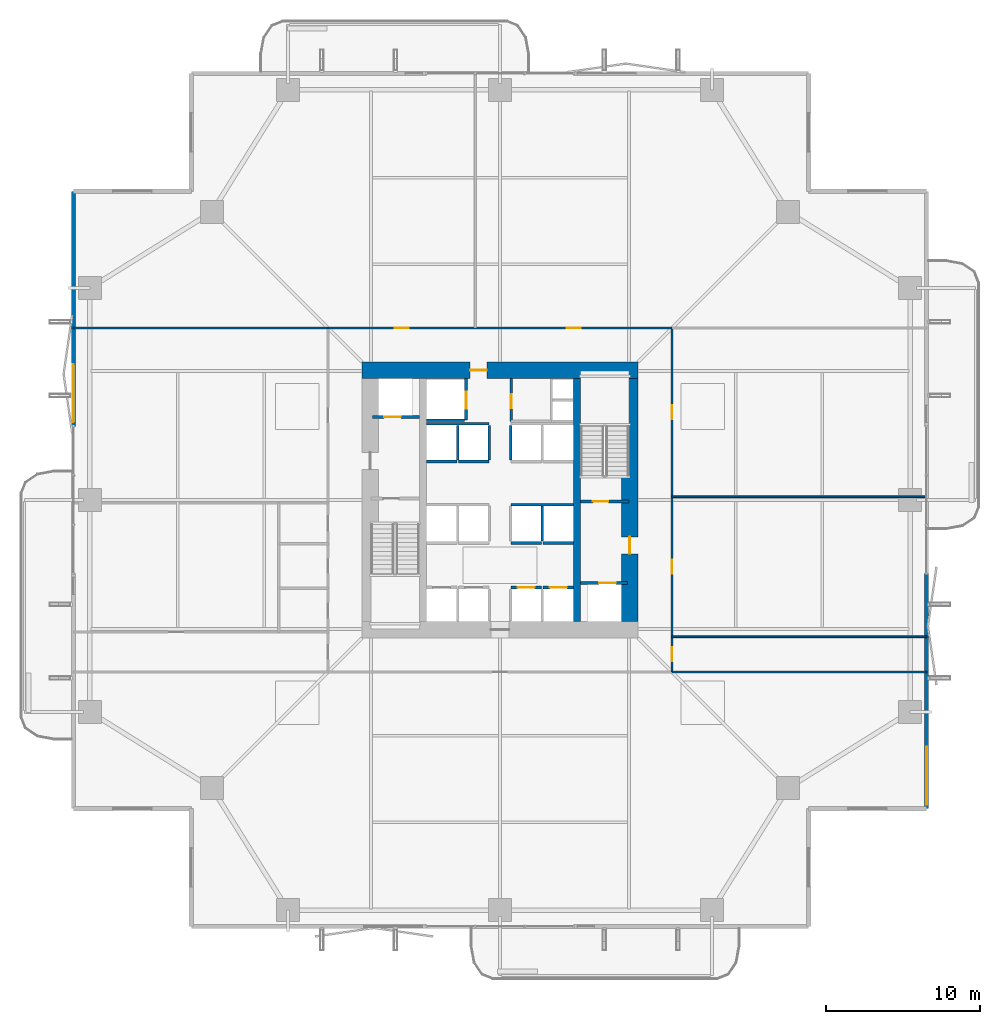
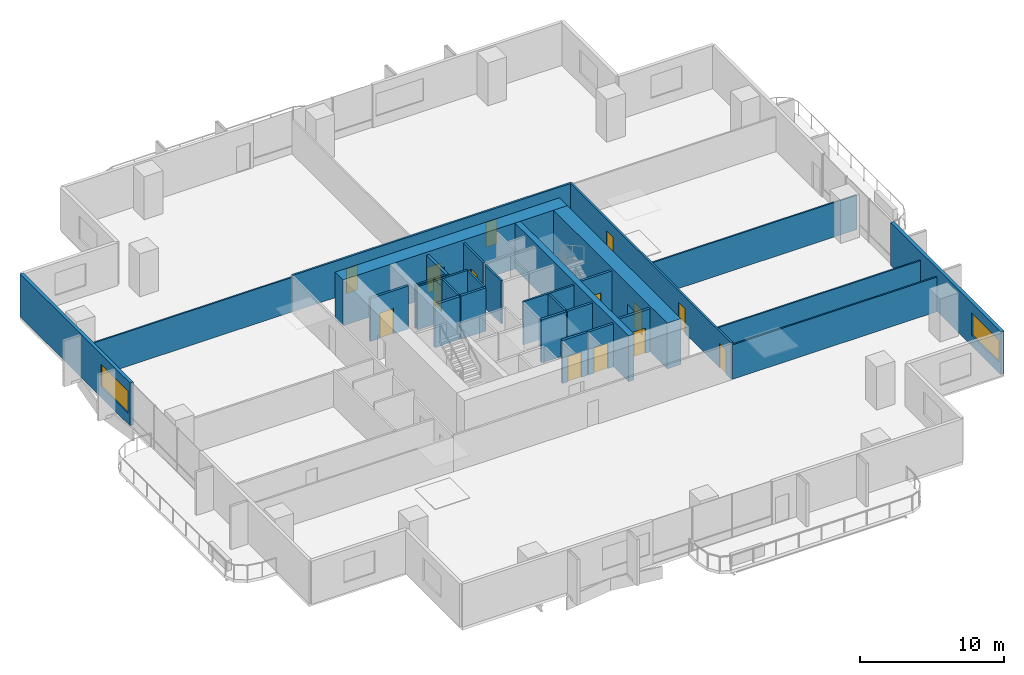
# One storey, part 18 of 23: 29 walls, 14 doors, 2 windows, 16 openings.
"""IFC4 building model written with IfcOpenShell, lengths in metres."""

from ifc_helpers import new_model, si_unit, direction, frame, frame_2d, origin, place, context, subcontext, project, spatial, rectangle, extrude, material, layer, layer_set, type_object, element, fill, save


model = new_model("IFC4")

# Units and contexts
model_context = context("Model", 3, precision=1e-05, world=origin(), true_north=direction((0.0, 1.0)))
body_context = subcontext(model_context, "Body", "Model", "MODEL_VIEW")
ifc_project = project(units=[si_unit("LENGTHUNIT", "METRE"), si_unit("AREAUNIT", "SQUARE_METRE"), si_unit("VOLUMEUNIT", "CUBIC_METRE"), si_unit("PLANEANGLEUNIT", "RADIAN"), si_unit("MASSUNIT", "GRAM", prefix="KILO")], contexts=[model_context])

# Site, building, storey
site_placement = place(None, origin())
site = spatial("IfcSite", under=ifc_project, at=site_placement, CompositionType="ELEMENT")
building_placement = place(site_placement, origin())
building = spatial("IfcBuilding", under=site, at=building_placement, Name="Belovzor Exchange Tower", CompositionType="ELEMENT")
storey_placement = place(building_placement, frame((0.0, 0.0, 84.60009765625)))
storey = spatial("IfcBuildingStorey", under=building, at=storey_placement, Name="L20", CompositionType="ELEMENT", Elevation=84.60009765625)

# Walls
ifc_material_1 = material(Name="Acoustic Plasterboard on Galvanised Studs", Category="gypsum")
ifc_layer_1 = layer(ifc_material_1, 0.1201171875)
ifc_layer_set_1 = layer_set([ifc_layer_1], Name="Acoustic Plasterboard on Galvanised Studs")
wall_type_1 = type_object("IfcWallType", Name="Acoustic Double-Stud Partition Wall 120", PredefinedType="PARTITIONING", material=ifc_layer_set_1)
for number, where, z_axis, x_axis, name in (
    (1, (40.0, 17.60009765625, 0.0), (0.0, 0.0, 1.0), (1.0, 0.0, 0.0), "W-P120 Partition Wall W-L20-END-SE"),
    (2, (1.030029296875, 40.0, 0.0), (0.0, 0.0, 1.0), (1.0, 0.0, 0.0), "W-P120 Partition Wall W-L20-END-NW"),
    (3, (40.0, 19.89990234375, 0.0), (0.0, 0.0, 1.0), (1.0, 0.0, 0.0), "W-P120 Partition Wall W-L20-EDIV-1"),
    (4, (40.0, 29.008056640625, 0.0), (0.0, 0.0, 1.0), (1.0, 0.0, 0.0), "W-P120 Partition Wall W-L20-EDIV-2"),
):
    element("IfcWall", number, at=place(storey_placement, frame(where, z_axis=z_axis, x_axis=x_axis)), inside=storey, type_object=wall_type_1, Name=name, PredefinedType="PARTITIONING", context=body_context, shape_type="SweptSolid", body=[
        extrude(rectangle(XDim=16.570068359375, YDim=0.1201171875, at=frame_2d((8.28515625, 0.0))), origin(), (0.0, 0.0, 1.0), 2.934814453125),
    ])

# Wall, opening, door
ifc_material_2 = material(Name="Fire-Rated Gypsum Block and Mineral Wool", Category="gypsum")
ifc_layer_2 = layer(ifc_material_2, 0.14990234375)
ifc_layer_set_2 = layer_set([ifc_layer_2], Name="Fire-Rated Gypsum Block and Mineral Wool")
wall_type_2 = type_object("IfcWallType", Name="Fire-Rated Gypsum Block Corridor Wall 150", PredefinedType="PARTITIONING", material=ifc_layer_set_2)
wall_1_placement = place(storey_placement, frame((29.52490234375, 33.925048828125, 0.0), z_axis=(0.0, 0.0, 1.0), x_axis=(0.0, 1.0, 0.0)))
wall_1 = element("IfcWall", 5, at=wall_1_placement, inside=storey, type_object=wall_type_2, Name="W-P150 Partition Wall W-CRV-L20-W", PredefinedType="PARTITIONING", context=body_context, shape_type="SweptSolid", body=[
    extrude(rectangle(XDim=2.77490234375, YDim=0.14990234375, at=frame_2d((1.387451171875, 0.0))), origin(), (0.0, 0.0, 1.0), 3.64990234375),
])
opening_1_placement = place(wall_1_placement, frame((0.85009765625, 0.0, 0.0)))
opening_1 = element("IfcOpeningElement", 6, at=opening_1_placement, cuts=wall_1, Name="Opening D-FD60-090", PredefinedType="OPENING", context=body_context, shape_type="SweptSolid", body=[
    extrude(rectangle(XDim=0.89990234375, YDim=2.10009765625, at=frame_2d((0.449951171875, 1.050048828125))), frame((0.0, 0.0849609375, 0.0), z_axis=(0.0, -1.0, 0.0), x_axis=(1.0, 0.0, 0.0)), (0.0, 0.0, 1.0), 0.169921875),
])
ifc_material_3 = material(Name="Acoustic Timber Fire Leaf", Category="wood")
door_type_1 = type_object("IfcDoorType", Name="Core Service & Restroom Fire Door 900x2100", OperationType="NOTDEFINED", PredefinedType="DOOR", material=ifc_material_3)
door_1_placement = place(opening_1_placement, origin())
door_1 = element("IfcDoor", 7, at=door_1_placement, inside=storey, type_object=door_type_1, Name="D-FD60-090 Core Service & Restroom Fire Door 900x2100", OperationType="SINGLE_SWING_LEFT", OverallHeight=2.10009765625, OverallWidth=0.89990234375, PredefinedType="DOOR", context=body_context, shape_type="SweptSolid", body=[
    extrude(rectangle(XDim=0.89990234375, YDim=2.10009765625, at=frame_2d((0.449951171875, 1.050048828125))), frame((0.0, 0.02490234375, 0.0), z_axis=(0.0, -1.0, 0.0), x_axis=(1.0, 0.0, 0.0)), (0.0, 0.0, 1.0), 0.050048828125),
])
fill(opening_1, door_1)

# Wall, openings, doors
wall_2_placement = place(storey_placement, frame((17.60009765625, 40.0, 0.0), z_axis=(0.0, 0.0, 1.0), x_axis=(1.0, 0.0, 0.0)))
wall_2 = element("IfcWall", 8, at=wall_2_placement, inside=storey, type_object=wall_type_2, Name="W-P150 Partition Wall W-L20-CN", PredefinedType="PARTITIONING", context=body_context, shape_type="SweptSolid", body=[
    extrude(rectangle(XDim=22.39990234375, YDim=0.14990234375, at=frame_2d((11.199951171875, 0.0))), origin(), (0.0, 0.0, 1.0), 3.0849609375),
])
opening_2_placement = place(wall_2_placement, frame((4.34912109375, 0.0, 0.0)))
opening_2 = element("IfcOpeningElement", 9, at=opening_2_placement, cuts=wall_2, Name="Opening D-INT-090", PredefinedType="OPENING", context=body_context, shape_type="SweptSolid", body=[
    extrude(rectangle(XDim=0.89990234375, YDim=2.10009765625, at=frame_2d((0.449951171875, 1.050048828125))), frame((0.0, 0.0849609375, 0.0), z_axis=(0.0, -1.0, 0.0), x_axis=(1.0, 0.0, 0.0)), (0.0, 0.0, 1.0), 0.169921875),
])
opening_3_placement = place(wall_2_placement, frame((15.549072265625, 0.0, 0.0)))
opening_3 = element("IfcOpeningElement", 10, at=opening_3_placement, cuts=wall_2, Name="Opening D-INT-090", PredefinedType="OPENING", context=body_context, shape_type="SweptSolid", body=[
    extrude(rectangle(XDim=0.89990234375, YDim=2.10009765625, at=frame_2d((0.449951171875, 1.050048828125))), frame((0.0, 0.0849609375, 0.0), z_axis=(0.0, -1.0, 0.0), x_axis=(1.0, 0.0, 0.0)), (0.0, 0.0, 1.0), 0.169921875),
])
ifc_material_4 = material(Name="Veneered Hardwood Acoustic Leaf", Category="wood")
door_type_2 = type_object("IfcDoorType", Name="Trading Suite Acoustic Single Door 900x2100", OperationType="NOTDEFINED", PredefinedType="DOOR", material=ifc_material_4)
door_2_placement = place(opening_2_placement, origin())
door_2 = element("IfcDoor", 11, at=door_2_placement, inside=storey, type_object=door_type_2, Name="D-INT-090 Trading Suite Acoustic Single Door 900x2100", OperationType="SINGLE_SWING_RIGHT", OverallHeight=2.10009765625, OverallWidth=0.89990234375, PredefinedType="DOOR", context=body_context, shape_type="SweptSolid", body=[
    extrude(rectangle(XDim=0.89990234375, YDim=2.10009765625, at=frame_2d((0.449951171875, 1.050048828125))), frame((0.0, 0.02490234375, 0.0), z_axis=(0.0, -1.0, 0.0), x_axis=(1.0, 0.0, 0.0)), (0.0, 0.0, 1.0), 0.050048828125),
])
fill(opening_2, door_2)
door_3_placement = place(opening_3_placement, origin())
door_3 = element("IfcDoor", 12, at=door_3_placement, inside=storey, type_object=door_type_2, Name="D-INT-090 Trading Suite Acoustic Single Door 900x2100", OperationType="SINGLE_SWING_LEFT", OverallHeight=2.10009765625, OverallWidth=0.89990234375, PredefinedType="DOOR", context=body_context, shape_type="SweptSolid", body=[
    extrude(rectangle(XDim=0.89990234375, YDim=2.10009765625, at=frame_2d((0.449951171875, 1.050048828125))), frame((0.0, 0.02490234375, 0.0), z_axis=(0.0, -1.0, 0.0), x_axis=(1.0, 0.0, 0.0)), (0.0, 0.0, 1.0), 0.050048828125),
])
fill(opening_3, door_3)

wall_3_placement = place(storey_placement, frame((40.0, 17.60009765625, 0.0), z_axis=(0.0, 0.0, 1.0), x_axis=(0.0, 1.0, 0.0)))
wall_3 = element("IfcWall", 13, at=wall_3_placement, inside=storey, type_object=wall_type_2, Name="W-P150 Partition Wall W-L20-CE", PredefinedType="PARTITIONING", context=body_context, shape_type="SweptSolid", body=[
    extrude(rectangle(XDim=22.39990234375, YDim=0.14990234375, at=frame_2d((11.199951171875, 0.0))), origin(), (0.0, 0.0, 1.0), 3.0849609375),
])
opening_4_placement = place(wall_3_placement, frame((0.699951171875, 0.0, 0.0)))
opening_4 = element("IfcOpeningElement", 14, at=opening_4_placement, cuts=wall_3, Name="Opening D-INT-090", PredefinedType="OPENING", context=body_context, shape_type="SweptSolid", body=[
    extrude(rectangle(XDim=0.89990234375, YDim=2.10009765625, at=frame_2d((0.449951171875, 1.050048828125))), frame((0.0, 0.0849609375, 0.0), z_axis=(0.0, -1.0, 0.0), x_axis=(1.0, 0.0, 0.0)), (0.0, 0.0, 1.0), 0.169921875),
])
opening_5_placement = place(wall_3_placement, frame((6.404052734375, 0.0, 0.0)))
opening_5 = element("IfcOpeningElement", 15, at=opening_5_placement, cuts=wall_3, Name="Opening D-INT-090", PredefinedType="OPENING", context=body_context, shape_type="SweptSolid", body=[
    extrude(rectangle(XDim=0.89990234375, YDim=2.10009765625, at=frame_2d((0.449951171875, 1.050048828125))), frame((0.0, 0.0849609375, 0.0), z_axis=(0.0, -1.0, 0.0), x_axis=(1.0, 0.0, 0.0)), (0.0, 0.0, 1.0), 0.169921875),
])
opening_6_placement = place(wall_3_placement, frame((16.4541015625, 0.0, 0.0)))
opening_6 = element("IfcOpeningElement", 16, at=opening_6_placement, cuts=wall_3, Name="Opening D-INT-090", PredefinedType="OPENING", context=body_context, shape_type="SweptSolid", body=[
    extrude(rectangle(XDim=0.89990234375, YDim=2.10009765625, at=frame_2d((0.449951171875, 1.050048828125))), frame((0.0, 0.0849609375, 0.0), z_axis=(0.0, -1.0, 0.0), x_axis=(1.0, 0.0, 0.0)), (0.0, 0.0, 1.0), 0.169921875),
])
door_4_placement = place(opening_4_placement, origin())
door_4 = element("IfcDoor", 17, at=door_4_placement, inside=storey, type_object=door_type_2, Name="D-INT-090 Trading Suite Acoustic Single Door 900x2100", OperationType="SINGLE_SWING_RIGHT", OverallHeight=2.10009765625, OverallWidth=0.89990234375, PredefinedType="DOOR", context=body_context, shape_type="SweptSolid", body=[
    extrude(rectangle(XDim=0.89990234375, YDim=2.10009765625, at=frame_2d((0.449951171875, 1.050048828125))), frame((0.0, 0.02490234375, 0.0), z_axis=(0.0, -1.0, 0.0), x_axis=(1.0, 0.0, 0.0)), (0.0, 0.0, 1.0), 0.050048828125),
])
fill(opening_4, door_4)
door_5_placement = place(opening_5_placement, origin())
door_5 = element("IfcDoor", 18, at=door_5_placement, inside=storey, type_object=door_type_2, Name="D-INT-090 Trading Suite Acoustic Single Door 900x2100", OperationType="SINGLE_SWING_LEFT", OverallHeight=2.10009765625, OverallWidth=0.89990234375, PredefinedType="DOOR", context=body_context, shape_type="SweptSolid", body=[
    extrude(rectangle(XDim=0.89990234375, YDim=2.10009765625, at=frame_2d((0.449951171875, 1.050048828125))), frame((0.0, 0.02490234375, 0.0), z_axis=(0.0, -1.0, 0.0), x_axis=(1.0, 0.0, 0.0)), (0.0, 0.0, 1.0), 0.050048828125),
])
fill(opening_5, door_5)
door_6_placement = place(opening_6_placement, origin())
door_6 = element("IfcDoor", 19, at=door_6_placement, inside=storey, type_object=door_type_2, Name="D-INT-090 Trading Suite Acoustic Single Door 900x2100", OperationType="SINGLE_SWING_RIGHT", OverallHeight=2.10009765625, OverallWidth=0.89990234375, PredefinedType="DOOR", context=body_context, shape_type="SweptSolid", body=[
    extrude(rectangle(XDim=0.89990234375, YDim=2.10009765625, at=frame_2d((0.449951171875, 1.050048828125))), frame((0.0, 0.02490234375, 0.0), z_axis=(0.0, -1.0, 0.0), x_axis=(1.0, 0.0, 0.0)), (0.0, 0.0, 1.0), 0.050048828125),
])
fill(opening_6, door_6)

# Wall, opening, window
ifc_material_5 = material(Name="Precast concrete C40/50", Category="concrete")
ifc_layer_3 = layer(ifc_material_5, 0.260009765625)
ifc_layer_set_3 = layer_set([ifc_layer_3], Name="Precast concrete C40/50")
wall_type_3 = type_object("IfcWallType", Name="Precast Concrete Perimeter Loggia Frame Wall 260", PredefinedType="SOLIDWALL", material=ifc_layer_set_3)
wall_4_placement = place(storey_placement, frame((1.030029296875, 33.60009765625, 0.0), z_axis=(0.0, 0.0, 1.0), x_axis=(0.0, 1.0, 0.0)))
wall_4 = element("IfcWall", 20, at=wall_4_placement, inside=storey, type_object=wall_type_3, Name="W-EXT260 Precast Concrete Perimeter Loggia Frame Wall 260 L20", PredefinedType="SOLIDWALL", context=body_context, shape_type="SweptSolid", body=[
    extrude(rectangle(XDim=15.2998046875, YDim=0.260009765625, at=frame_2d((7.64990234375, 0.0))), origin(), (0.0, 0.0, 1.0), 3.64990234375),
])
opening_7_placement = place(wall_4_placement, frame((0.25, 0.0, 0.89990234375)))
opening_7 = element("IfcOpeningElement", 21, at=opening_7_placement, cuts=wall_4, Name="Opening WN-RIB380", PredefinedType="OPENING", context=body_context, shape_type="SweptSolid", body=[
    extrude(rectangle(XDim=3.800048828125, YDim=1.89990234375, at=frame_2d((1.89990234375, 0.949951171875))), frame((0.0, 0.139892578125, 0.0), z_axis=(0.0, -1.0, 0.0), x_axis=(1.0, 0.0, 0.0)), (0.0, 0.0, 1.0), 0.280029296875),
])
ifc_material_6 = material(Name="Thermally Broken Aluminium and Triple Glazing", Category="aluminium")
window_type = type_object("IfcWindowType", Name="Streamline Moderne Horizontal Ribbon Window 3800x1900", PartitioningType="SINGLE_PANEL", PredefinedType="WINDOW", material=ifc_material_6)
window_1_placement = place(opening_7_placement, origin())
window_1 = element("IfcWindow", 22, at=window_1_placement, inside=storey, type_object=window_type, Name="WN-RIB380 Streamline Moderne Horizontal Ribbon Window 3800x1900", OverallHeight=1.89990234375, OverallWidth=3.800048828125, PartitioningType="SINGLE_PANEL", PredefinedType="WINDOW", context=body_context, shape_type="SweptSolid", body=[
    extrude(rectangle(XDim=3.800048828125, YDim=1.89990234375, at=frame_2d((1.89990234375, 0.949951171875))), frame((0.0, 0.030029296875, 0.0), z_axis=(0.0, -1.0, 0.0), x_axis=(1.0, 0.0, 0.0)), (0.0, 0.0, 1.0), 0.06005859375),
])
fill(opening_7, window_1)

wall_5_placement = place(storey_placement, frame((56.570068359375, 24.0, 0.0), z_axis=(0.0, 0.0, 1.0), x_axis=(0.0, -1.0, 0.0)))
wall_5 = element("IfcWall", 23, at=wall_5_placement, inside=storey, type_object=wall_type_3, Name="W-EXT260 Precast Concrete Perimeter Loggia Frame Wall 260 L20", PredefinedType="SOLIDWALL", context=body_context, shape_type="SweptSolid", body=[
    extrude(rectangle(XDim=15.300048828125, YDim=0.260009765625, at=frame_2d((7.64990234375, 0.0))), origin(), (0.0, 0.0, 1.0), 3.64990234375),
])
opening_8_placement = place(wall_5_placement, frame((11.25, 0.0, 0.89990234375)))
opening_8 = element("IfcOpeningElement", 24, at=opening_8_placement, cuts=wall_5, Name="Opening WN-RIB380", PredefinedType="OPENING", context=body_context, shape_type="SweptSolid", body=[
    extrude(rectangle(XDim=3.800048828125, YDim=1.89990234375, at=frame_2d((1.89990234375, 0.949951171875))), frame((0.0, 0.139892578125, 0.0), z_axis=(0.0, -1.0, 0.0), x_axis=(1.0, 0.0, 0.0)), (0.0, 0.0, 1.0), 0.280029296875),
])
window_2_placement = place(opening_8_placement, origin())
window_2 = element("IfcWindow", 25, at=window_2_placement, inside=storey, type_object=window_type, Name="WN-RIB380 Streamline Moderne Horizontal Ribbon Window 3800x1900", OverallHeight=1.89990234375, OverallWidth=3.800048828125, PartitioningType="SINGLE_PANEL", PredefinedType="WINDOW", context=body_context, shape_type="SweptSolid", body=[
    extrude(rectangle(XDim=3.800048828125, YDim=1.89990234375, at=frame_2d((1.89990234375, 0.949951171875))), frame((0.0, 0.030029296875, 0.0), z_axis=(0.0, -1.0, 0.0), x_axis=(1.0, 0.0, 0.0)), (0.0, 0.0, 1.0), 0.06005859375),
])
fill(opening_8, window_2)

# Walls
ifc_material_7 = material(Name="Concrete C50/60", Category="concrete")
ifc_layer_4 = layer(ifc_material_7, 0.449951171875)
ifc_layer_set_4 = layer_set([ifc_layer_4], Name="Concrete C50/60")
wall_type_4 = type_object("IfcWallType", Name="Reinforced Concrete Core Internal Web Wall 450", PredefinedType="SHEAR", material=ifc_layer_set_4)
wall_6_placement = place(storey_placement, frame((33.824951171875, 20.89990234375, 0.0), z_axis=(0.0, 0.0, 1.0), x_axis=(0.0, 1.0, 0.0)))
element("IfcWall", 26, at=wall_6_placement, inside=storey, type_object=wall_type_4, Name="CW-W045 Core Internal Web Wall L20 ER", PredefinedType="SHEAR", context=body_context, shape_type="SweptSolid", body=[
    extrude(rectangle(XDim=15.800048828125, YDim=0.449951171875, at=frame_2d((7.89990234375, 0.0))), origin(), (0.0, 0.0, 1.0), 3.89990234375),
])
ifc_material_8 = material(Name="Concrete C50/60", Category="concrete")
ifc_layer_5 = layer(ifc_material_8, 0.14990234375)
ifc_layer_set_5 = layer_set([ifc_layer_5], Name="Concrete C50/60")
wall_type_5 = type_object("IfcWallType", Name="Reinforced Concrete Core Riser Shear Wall 150", PredefinedType="SHEAR", material=ifc_layer_set_5)
wall_7_placement = place(storey_placement, frame((24.0, 34.0, 0.0), z_axis=(0.0, 0.0, 1.0), x_axis=(1.0, 0.0, 0.0)))
element("IfcWall", 27, at=wall_7_placement, inside=storey, type_object=wall_type_5, Name="W-C150S Core Shaft Wall W-SH-L20-SL-01S", PredefinedType="SHEAR", context=body_context, shape_type="SweptSolid", body=[
    extrude(rectangle(XDim=2.47998046875, YDim=0.14990234375, at=frame_2d((1.239990234375, 0.0))), origin(), (0.0, 0.0, 1.0), 3.64990234375),
])
wall_8_placement = place(storey_placement, frame((29.5, 28.5, 0.0), z_axis=(0.0, 0.0, 1.0), x_axis=(1.0, 0.0, 0.0)))
element("IfcWall", 28, at=wall_8_placement, inside=storey, type_object=wall_type_5, Name="W-C150S Core Shaft Wall W-SHB-L20-PLM-NE", PredefinedType="SHEAR", context=body_context, shape_type="SweptSolid", body=[
    extrude(rectangle(XDim=4.080078125, YDim=0.14990234375, at=frame_2d((2.0400390625, 0.0))), origin(), (0.0, 0.0, 1.0), 3.64990234375),
])
wall_9_placement = place(storey_placement, frame((31.550048828125, 26.1201171875, 0.0), z_axis=(0.0, 0.0, 1.0), x_axis=(0.0, 1.0, 0.0)))
element("IfcWall", 29, at=wall_9_placement, inside=storey, type_object=wall_type_5, Name="W-C150S Core Shaft Wall W-SHD-L20-PLM-4", PredefinedType="SHEAR", context=body_context, shape_type="SweptSolid", body=[
    extrude(rectangle(XDim=2.27978515625, YDim=0.14990234375, at=frame_2d((1.139892578125, 0.0))), origin(), (0.0, 0.0, 1.0), 3.64990234375),
])
wall_10_placement = place(storey_placement, frame((24.02001953125, 33.760009765625, 0.0), z_axis=(0.0, 0.0, 1.0), x_axis=(1.0, 0.0, 0.0)))
element("IfcWall", 30, at=wall_10_placement, inside=storey, type_object=wall_type_5, Name="W-C150S Core Shaft Wall W-SHB-L20-PLH-NW", PredefinedType="SHEAR", context=body_context, shape_type="SweptSolid", body=[
    extrude(rectangle(XDim=4.080078125, YDim=0.14990234375, at=frame_2d((2.0400390625, 0.0))), origin(), (0.0, 0.0, 1.0), 3.64990234375),
])
for number, where, z_axis, x_axis, name in (
    (31, (26.050048828125, 31.419921875, 0.0), (0.0, 0.0, 1.0), (0.0, 1.0, 0.0), "W-C150S Core Shaft Wall W-SHD-L20-PLH-1"),
    (32, (28.10009765625, 31.419921875, 0.0), (0.0, 0.0, 1.0), (0.0, 1.0, 0.0), "W-C150S Core Shaft Wall W-SHD-L20-PLH-2"),
    (33, (29.5, 31.419921875, 0.0), (0.0, 0.0, 1.0), (0.0, 1.0, 0.0), "W-C150S Core Shaft Wall W-SHD-L20-PLH-3"),
):
    element("IfcWall", number, at=place(storey_placement, frame(where, z_axis=z_axis, x_axis=x_axis)), inside=storey, type_object=wall_type_5, Name=name, PredefinedType="SHEAR", context=body_context, shape_type="SweptSolid", body=[
        extrude(rectangle(XDim=2.239990234375, YDim=0.14990234375, at=frame_2d((1.1201171875, 0.0))), origin(), (0.0, 0.0, 1.0), 3.64990234375),
    ])

# Wall, opening, door
ifc_material_9 = material(Name="Concrete C50/60", Category="concrete")
ifc_layer_6 = layer(ifc_material_9, 0.199951171875)
ifc_layer_set_6 = layer_set([ifc_layer_6], Name="Concrete C50/60")
wall_type_6 = type_object("IfcWallType", Name="Reinforced Concrete Core Shaft Shear Wall 200", PredefinedType="SHEAR", material=ifc_layer_set_6)
wall_11_placement = place(storey_placement, frame((34.050048828125, 28.699951171875, 0.0), z_axis=(0.0, 0.0, 1.0), x_axis=(1.0, 0.0, 0.0)))
wall_11 = element("IfcWall", 34, at=wall_11_placement, inside=storey, type_object=wall_type_6, Name="W-C200S Core Shaft Wall W-CORE-L20-FFLE2", PredefinedType="SHEAR", context=body_context, shape_type="SweptSolid", body=[
    extrude(rectangle(XDim=3.14990234375, YDim=0.199951171875, at=frame_2d((1.574951171875, 0.0))), origin(), (0.0, 0.0, 1.0), 3.64990234375),
])
opening_9_placement = place(wall_11_placement, frame((0.800048828125, 0.0, 0.0)))
opening_9 = element("IfcOpeningElement", 35, at=opening_9_placement, cuts=wall_11, Name="Opening D-FD90-100", PredefinedType="OPENING", context=body_context, shape_type="SweptSolid", body=[
    extrude(rectangle(XDim=1.0, YDim=2.10009765625, at=frame_2d((0.5, 1.050048828125))), frame((0.0, 0.10986328125, 0.0), z_axis=(0.0, -1.0, 0.0), x_axis=(1.0, 0.0, 0.0)), (0.0, 0.0, 1.0), 0.219970703125),
])
ifc_material_10 = material(Name="Fire-Rated Galvanised Steel Leaf", Category="steel")
door_type_3 = type_object("IfcDoorType", Name="Protected Stairwell Single Fire Door 1000x2100", OperationType="NOTDEFINED", PredefinedType="DOOR", material=ifc_material_10)
door_7_placement = place(opening_9_placement, origin())
door_7 = element("IfcDoor", 36, at=door_7_placement, inside=storey, type_object=door_type_3, Name="D-FD90-100 Protected Stairwell Single Fire Door 1000x2100", OperationType="SINGLE_SWING_LEFT", OverallHeight=2.10009765625, OverallWidth=1.0, PredefinedType="DOOR", context=body_context, shape_type="SweptSolid", body=[
    extrude(rectangle(XDim=1.0, YDim=2.10009765625, at=frame_2d((0.5, 1.050048828125))), frame((0.0, 0.02490234375, 0.0), z_axis=(0.0, -1.0, 0.0), x_axis=(1.0, 0.0, 0.0)), (0.0, 0.0, 1.0), 0.050048828125),
])
fill(opening_9, door_7)

wall_12_placement = place(storey_placement, frame((20.5, 34.199951171875, 0.0), z_axis=(0.0, 0.0, 1.0), x_axis=(1.0, 0.0, 0.0)))
wall_12 = element("IfcWall", 37, at=wall_12_placement, inside=storey, type_object=wall_type_6, Name="W-C200S Core Shaft Wall W-SH-L20-FFL-01", PredefinedType="SHEAR", context=body_context, shape_type="SweptSolid", body=[
    extrude(rectangle(XDim=3.050048828125, YDim=0.199951171875, at=frame_2d((1.52490234375, 0.0))), origin(), (0.0, 0.0, 1.0), 3.64990234375),
])
opening_10_placement = place(wall_12_placement, frame((0.75, 0.0, 0.0)))
opening_10 = element("IfcOpeningElement", 38, at=opening_10_placement, cuts=wall_12, Name="Opening LD-110", PredefinedType="OPENING", context=body_context, shape_type="SweptSolid", body=[
    extrude(rectangle(XDim=1.10009765625, YDim=2.14990234375, at=frame_2d((0.550048828125, 1.074951171875))), frame((0.0, 0.10986328125, 0.0), z_axis=(0.0, -1.0, 0.0), x_axis=(1.0, 0.0, 0.0)), (0.0, 0.0, 1.0), 0.219970703125),
])
ifc_material_11 = material(Name="Stainless Steel Grade 304", Category="steel")
door_type_4 = type_object("IfcDoorType", Name="Automated Stainless Steel Lift Landing Door 1100x2150", OperationType="SLIDING_TO_RIGHT", PredefinedType="DOOR", material=ifc_material_11)
door_8_placement = place(opening_10_placement, origin())
door_8 = element("IfcDoor", 39, at=door_8_placement, inside=storey, type_object=door_type_4, Name="LD-110 Automated Stainless Steel Lift Landing Door 1100x2150", OperationType="SLIDING_TO_RIGHT", OverallHeight=2.14990234375, OverallWidth=1.10009765625, PredefinedType="DOOR", context=body_context, shape_type="SweptSolid", body=[
    extrude(rectangle(XDim=1.10009765625, YDim=2.14990234375, at=frame_2d((0.550048828125, 1.074951171875))), frame((0.0, 0.02490234375, 0.0), z_axis=(0.0, -1.0, 0.0), x_axis=(1.0, 0.0, 0.0)), (0.0, 0.0, 1.0), 0.050048828125),
])
fill(opening_10, door_8)

wall_13_placement = place(storey_placement, frame((34.050048828125, 23.39990234375, 0.0), z_axis=(0.0, 0.0, 1.0), x_axis=(1.0, 0.0, 0.0)))
wall_13 = element("IfcWall", 40, at=wall_13_placement, inside=storey, type_object=wall_type_6, Name="W-C200S Core Shaft Wall W-SH-L20-FFL-02", PredefinedType="SHEAR", context=body_context, shape_type="SweptSolid", body=[
    extrude(rectangle(XDim=3.050048828125, YDim=0.199951171875, at=frame_2d((1.52490234375, 0.0))), origin(), (0.0, 0.0, 1.0), 3.64990234375),
])
opening_11_placement = place(wall_13_placement, frame((1.199951171875, 0.0, 0.0)))
opening_11 = element("IfcOpeningElement", 41, at=opening_11_placement, cuts=wall_13, Name="Opening LD-110", PredefinedType="OPENING", context=body_context, shape_type="SweptSolid", body=[
    extrude(rectangle(XDim=1.10009765625, YDim=2.14990234375, at=frame_2d((0.550048828125, 1.074951171875))), frame((0.0, 0.10986328125, 0.0), z_axis=(0.0, -1.0, 0.0), x_axis=(1.0, 0.0, 0.0)), (0.0, 0.0, 1.0), 0.219970703125),
])
door_9_placement = place(opening_11_placement, origin())
door_9 = element("IfcDoor", 42, at=door_9_placement, inside=storey, type_object=door_type_4, Name="LD-110 Automated Stainless Steel Lift Landing Door 1100x2150", OperationType="SLIDING_TO_RIGHT", OverallHeight=2.14990234375, OverallWidth=1.10009765625, PredefinedType="DOOR", context=body_context, shape_type="SweptSolid", body=[
    extrude(rectangle(XDim=1.10009765625, YDim=2.14990234375, at=frame_2d((0.550048828125, 1.074951171875))), frame((0.0, 0.02490234375, 0.0), z_axis=(0.0, -1.0, 0.0), x_axis=(1.0, 0.0, 0.0)), (0.0, 0.0, 1.0), 0.050048828125),
])
fill(opening_11, door_9)

wall_14_placement = place(storey_placement, frame((26.60009765625, 34.0, 0.0), z_axis=(0.0, 0.0, 1.0), x_axis=(0.0, 1.0, 0.0)))
wall_14 = element("IfcWall", 43, at=wall_14_placement, inside=storey, type_object=wall_type_6, Name="W-C200S Core Shaft Wall W-SH-L20-SL-01", PredefinedType="SHEAR", context=body_context, shape_type="SweptSolid", body=[
    extrude(rectangle(XDim=2.699951171875, YDim=0.199951171875, at=frame_2d((1.35009765625, 0.0))), origin(), (0.0, 0.0, 1.0), 3.64990234375),
])
opening_12_placement = place(wall_14_placement, frame((0.75, 0.0, 0.0)))
opening_12 = element("IfcOpeningElement", 44, at=opening_12_placement, cuts=wall_14, Name="Opening LD-110", PredefinedType="OPENING", context=body_context, shape_type="SweptSolid", body=[
    extrude(rectangle(XDim=1.10009765625, YDim=2.14990234375, at=frame_2d((0.550048828125, 1.074951171875))), frame((0.0, 0.10986328125, 0.0), z_axis=(0.0, -1.0, 0.0), x_axis=(1.0, 0.0, 0.0)), (0.0, 0.0, 1.0), 0.219970703125),
])
door_10_placement = place(opening_12_placement, origin())
door_10 = element("IfcDoor", 45, at=door_10_placement, inside=storey, type_object=door_type_4, Name="LD-110 Automated Stainless Steel Lift Landing Door 1100x2150", OperationType="SLIDING_TO_RIGHT", OverallHeight=2.14990234375, OverallWidth=1.10009765625, PredefinedType="DOOR", context=body_context, shape_type="SweptSolid", body=[
    extrude(rectangle(XDim=1.10009765625, YDim=2.14990234375, at=frame_2d((0.550048828125, 1.074951171875))), frame((0.0, 0.02490234375, 0.0), z_axis=(0.0, -1.0, 0.0), x_axis=(1.0, 0.0, 0.0)), (0.0, 0.0, 1.0), 0.050048828125),
])
fill(opening_12, door_10)

wall_15_placement = place(storey_placement, frame((29.5, 23.10009765625, 0.0), z_axis=(0.0, 0.0, 1.0), x_axis=(1.0, 0.0, 0.0)))
wall_15 = element("IfcWall", 46, at=wall_15_placement, inside=storey, type_object=wall_type_6, Name="W-C200S Core Shaft Wall W-SH-L20-PL-L3", PredefinedType="SHEAR", context=body_context, shape_type="SweptSolid", body=[
    extrude(rectangle(XDim=2.0, YDim=0.199951171875, at=frame_2d((1.0, 0.0))), origin(), (0.0, 0.0, 1.0), 3.64990234375),
])
opening_13_placement = place(wall_15_placement, frame((0.449951171875, 0.0, 0.0)))
opening_13 = element("IfcOpeningElement", 47, at=opening_13_placement, cuts=wall_15, Name="Opening LD-110", PredefinedType="OPENING", context=body_context, shape_type="SweptSolid", body=[
    extrude(rectangle(XDim=1.10009765625, YDim=2.14990234375, at=frame_2d((0.550048828125, 1.074951171875))), frame((0.0, 0.10986328125, 0.0), z_axis=(0.0, -1.0, 0.0), x_axis=(1.0, 0.0, 0.0)), (0.0, 0.0, 1.0), 0.219970703125),
])
door_11_placement = place(opening_13_placement, origin())
door_11 = element("IfcDoor", 48, at=door_11_placement, inside=storey, type_object=door_type_4, Name="LD-110 Automated Stainless Steel Lift Landing Door 1100x2150", OperationType="SLIDING_TO_RIGHT", OverallHeight=2.14990234375, OverallWidth=1.10009765625, PredefinedType="DOOR", context=body_context, shape_type="SweptSolid", body=[
    extrude(rectangle(XDim=1.10009765625, YDim=2.14990234375, at=frame_2d((0.550048828125, 1.074951171875))), frame((0.0, 0.02490234375, 0.0), z_axis=(0.0, -1.0, 0.0), x_axis=(1.0, 0.0, 0.0)), (0.0, 0.0, 1.0), 0.050048828125),
])
fill(opening_13, door_11)

wall_16_placement = place(storey_placement, frame((31.60009765625, 23.10009765625, 0.0), z_axis=(0.0, 0.0, 1.0), x_axis=(1.0, 0.0, 0.0)))
wall_16 = element("IfcWall", 49, at=wall_16_placement, inside=storey, type_object=wall_type_6, Name="W-C200S Core Shaft Wall W-SH-L20-PL-L4", PredefinedType="SHEAR", context=body_context, shape_type="SweptSolid", body=[
    extrude(rectangle(XDim=2.0, YDim=0.199951171875, at=frame_2d((1.0, 0.0))), origin(), (0.0, 0.0, 1.0), 3.64990234375),
])
opening_14_placement = place(wall_16_placement, frame((0.449951171875, 0.0, 0.0)))
opening_14 = element("IfcOpeningElement", 50, at=opening_14_placement, cuts=wall_16, Name="Opening LD-110", PredefinedType="OPENING", context=body_context, shape_type="SweptSolid", body=[
    extrude(rectangle(XDim=1.10009765625, YDim=2.14990234375, at=frame_2d((0.550048828125, 1.074951171875))), frame((0.0, 0.10986328125, 0.0), z_axis=(0.0, -1.0, 0.0), x_axis=(1.0, 0.0, 0.0)), (0.0, 0.0, 1.0), 0.219970703125),
])
door_12_placement = place(opening_14_placement, origin())
door_12 = element("IfcDoor", 51, at=door_12_placement, inside=storey, type_object=door_type_4, Name="LD-110 Automated Stainless Steel Lift Landing Door 1100x2150", OperationType="SLIDING_TO_RIGHT", OverallHeight=2.14990234375, OverallWidth=1.10009765625, PredefinedType="DOOR", context=body_context, shape_type="SweptSolid", body=[
    extrude(rectangle(XDim=1.10009765625, YDim=2.14990234375, at=frame_2d((0.550048828125, 1.074951171875))), frame((0.0, 0.02490234375, 0.0), z_axis=(0.0, -1.0, 0.0), x_axis=(1.0, 0.0, 0.0)), (0.0, 0.0, 1.0), 0.050048828125),
])
fill(opening_14, door_12)

# Walls
for number, where, z_axis, x_axis, name in (
    (52, (29.5, 26.0, 0.0), (0.0, 0.0, 1.0), (1.0, 0.0, 0.0), "W-C200S Core Shaft Wall W-SH-L20-PL-M3"),
    (53, (31.60009765625, 26.0, 0.0), (0.0, 0.0, 1.0), (1.0, 0.0, 0.0), "W-C200S Core Shaft Wall W-SH-L20-PL-M4"),
    (54, (24.0, 31.300048828125, 0.0), (0.0, 0.0, 1.0), (1.0, 0.0, 0.0), "W-C200S Core Shaft Wall W-SH-L20-PL-H1"),
    (55, (26.10009765625, 31.300048828125, 0.0), (0.0, 0.0, 1.0), (1.0, 0.0, 0.0), "W-C200S Core Shaft Wall W-SH-L20-PL-H2"),
):
    element("IfcWall", number, at=place(storey_placement, frame(where, z_axis=z_axis, x_axis=x_axis)), inside=storey, type_object=wall_type_6, Name=name, PredefinedType="SHEAR", context=body_context, shape_type="SweptSolid", body=[
        extrude(rectangle(XDim=2.0, YDim=0.199951171875, at=frame_2d((1.0, 0.0))), origin(), (0.0, 0.0, 1.0), 3.64990234375),
    ])

# Wall, opening, door
ifc_material_12 = material(Name="Concrete C60/75", Category="concrete")
ifc_layer_7 = layer(ifc_material_12, 1.10009765625)
ifc_layer_set_7 = layer_set([ifc_layer_7], Name="Concrete C60/75")
wall_type_7 = type_object("IfcWallType", Name="Reinforced Concrete Core Shear Wall 1100", PredefinedType="SHEAR", material=ifc_layer_set_7)
wall_17_placement = place(storey_placement, frame((19.800048828125, 37.25, 0.0), z_axis=(0.0, 0.0, 1.0), x_axis=(1.0, 0.0, 0.0)))
wall_17 = element("IfcWall", 56, at=wall_17_placement, inside=storey, type_object=wall_type_7, Name="CW-S110 Core Shear Wall L20 N", PredefinedType="SHEAR", context=body_context, shape_type="SweptSolid", body=[
    extrude(rectangle(XDim=18.0, YDim=1.10009765625, at=frame_2d((9.0, 0.0))), origin(), (0.0, 0.0, 1.0), 3.89990234375),
])
opening_15_placement = place(wall_17_placement, frame((7.050048828125, 0.0, 0.0)))
opening_15 = element("IfcOpeningElement", 57, at=opening_15_placement, cuts=wall_17, Name="Opening D-FD90-110", PredefinedType="OPENING", context=body_context, shape_type="SweptSolid", body=[
    extrude(rectangle(XDim=1.10009765625, YDim=2.14990234375, at=frame_2d((0.550048828125, 1.074951171875))), frame((0.0, 0.56005859375, 0.0), z_axis=(0.0, -1.0, 0.0), x_axis=(1.0, 0.0, 0.0)), (0.0, 0.0, 1.0), 1.1201171875),
])
ifc_material_13 = material(Name="Fire-Rated Galvanised Steel Leaf", Category="steel")
door_type_5 = type_object("IfcDoorType", Name="Protected Escape Vestibule Fire Door 1100x2150", OperationType="NOTDEFINED", PredefinedType="DOOR", material=ifc_material_13)
door_13_placement = place(opening_15_placement, origin())
door_13 = element("IfcDoor", 58, at=door_13_placement, inside=storey, type_object=door_type_5, Name="D-FD90-110 Protected Escape Vestibule Fire Door 1100x2150", OperationType="SINGLE_SWING_RIGHT", OverallHeight=2.14990234375, OverallWidth=1.10009765625, PredefinedType="DOOR", context=body_context, shape_type="SweptSolid", body=[
    extrude(rectangle(XDim=1.10009765625, YDim=2.14990234375, at=frame_2d((0.550048828125, 1.074951171875))), frame((0.0, 0.02490234375, 0.0), z_axis=(0.0, -1.0, 0.0), x_axis=(1.0, 0.0, 0.0)), (0.0, 0.0, 1.0), 0.050048828125),
])
fill(opening_15, door_13)

wall_18_placement = place(storey_placement, frame((37.25, 20.89990234375, 0.0), z_axis=(0.0, 0.0, 1.0), x_axis=(0.0, 1.0, 0.0)))
wall_18 = element("IfcWall", 59, at=wall_18_placement, inside=storey, type_object=wall_type_7, Name="CW-S110 Core Shear Wall L20 E", PredefinedType="SHEAR", context=body_context, shape_type="SweptSolid", body=[
    extrude(rectangle(XDim=15.800048828125, YDim=1.10009765625, at=frame_2d((7.89990234375, 0.0))), origin(), (0.0, 0.0, 1.0), 3.89990234375),
])
opening_16_placement = place(wall_18_placement, frame((4.39990234375, 0.0, 0.0)))
opening_16 = element("IfcOpeningElement", 60, at=opening_16_placement, cuts=wall_18, Name="Opening D-FD90-110", PredefinedType="OPENING", context=body_context, shape_type="SweptSolid", body=[
    extrude(rectangle(XDim=1.10009765625, YDim=2.14990234375, at=frame_2d((0.550048828125, 1.074951171875))), frame((0.0, 0.56005859375, 0.0), z_axis=(0.0, -1.0, 0.0), x_axis=(1.0, 0.0, 0.0)), (0.0, 0.0, 1.0), 1.1201171875),
])
door_14_placement = place(opening_16_placement, origin())
door_14 = element("IfcDoor", 61, at=door_14_placement, inside=storey, type_object=door_type_5, Name="D-FD90-110 Protected Escape Vestibule Fire Door 1100x2150", OperationType="SINGLE_SWING_RIGHT", OverallHeight=2.14990234375, OverallWidth=1.10009765625, PredefinedType="DOOR", context=body_context, shape_type="SweptSolid", body=[
    extrude(rectangle(XDim=1.10009765625, YDim=2.14990234375, at=frame_2d((0.550048828125, 1.074951171875))), frame((0.0, 0.02490234375, 0.0), z_axis=(0.0, -1.0, 0.0), x_axis=(1.0, 0.0, 0.0)), (0.0, 0.0, 1.0), 0.050048828125),
])
fill(opening_16, door_14)

save(model, "model.ifc")
